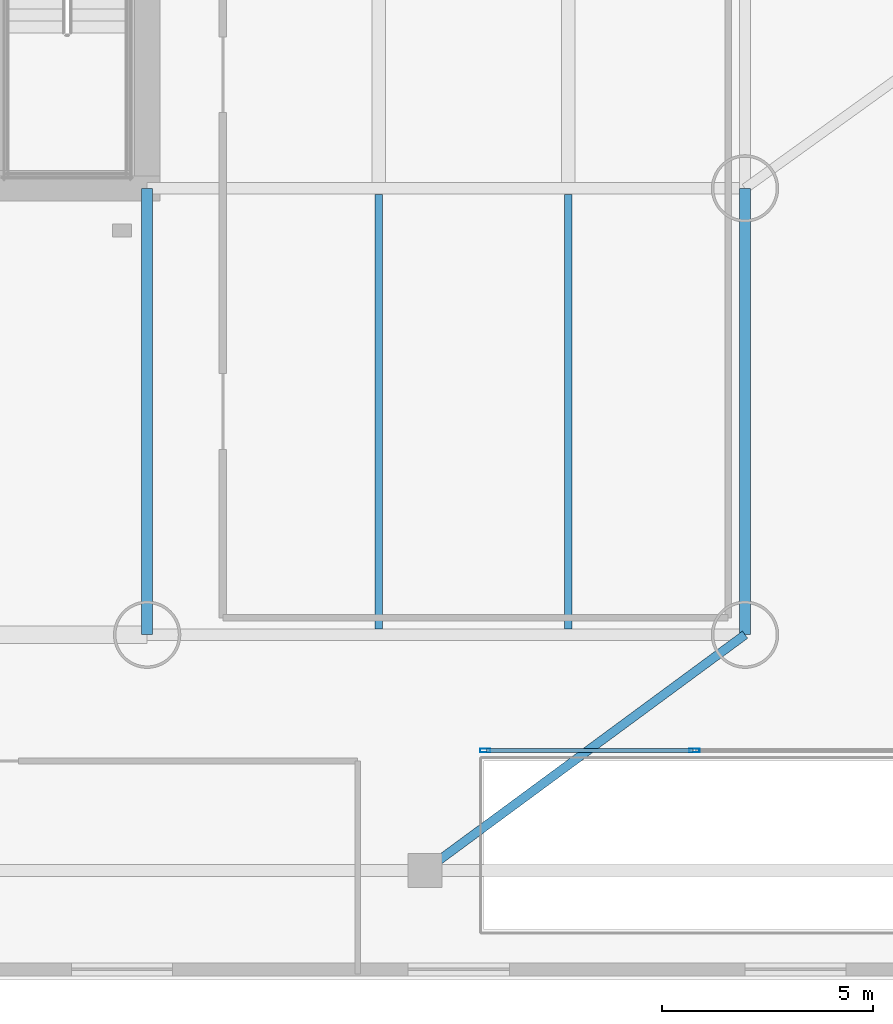
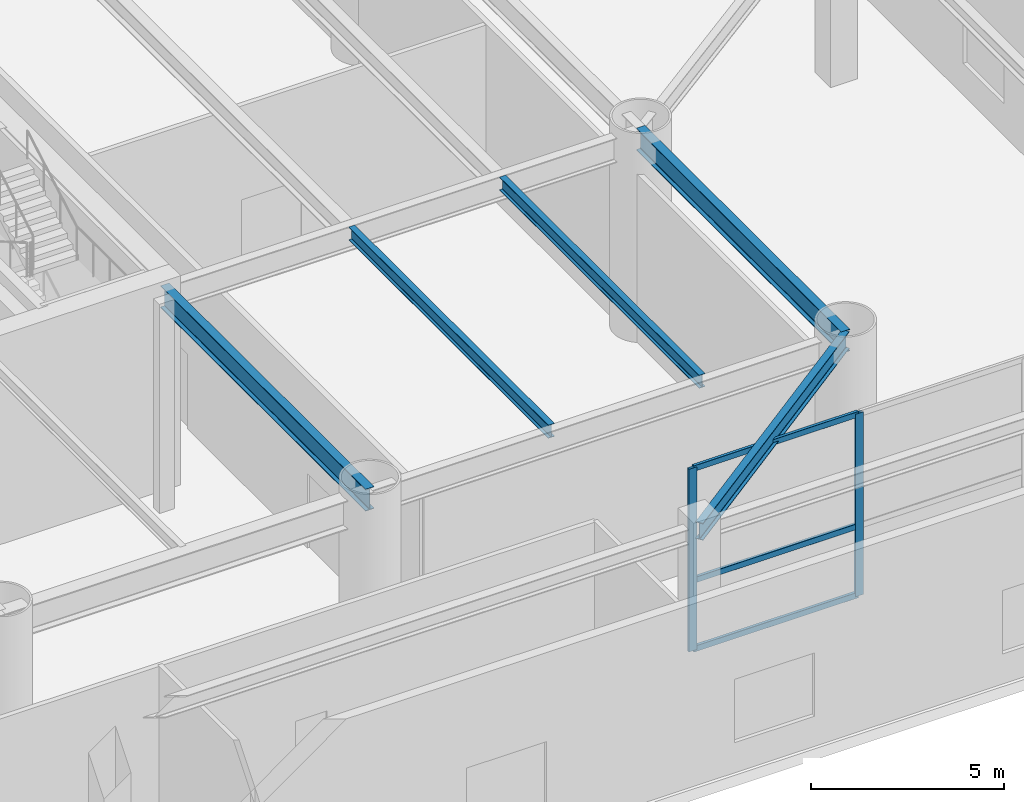
# One storey, part 2 of 16: 5 beams, 5 members, 1 element without a shape of its own.
"""IFC4 building model written with IfcOpenShell, lengths in metres."""

from ifc_helpers import new_model, si_unit, direction, frame, origin, origin_2d, place, context, subcontext, project, spatial, hollow_rectangle, i_section, extrude, material, layer, layer_set, material_profile, profile_set, type_object, element, aggregate, save


model = new_model("IFC4")

# Units and contexts
model_context = context("Model", 3, precision=1e-05, world=origin(), true_north=direction((0.0, 1.0)))
body_context = subcontext(model_context, "Body", "Model", "MODEL_VIEW")
ifc_project = project(units=[si_unit("LENGTHUNIT", "METRE"), si_unit("AREAUNIT", "SQUARE_METRE"), si_unit("VOLUMEUNIT", "CUBIC_METRE"), si_unit("PLANEANGLEUNIT", "RADIAN"), si_unit("MASSUNIT", "GRAM", prefix="KILO")], contexts=[model_context])

# Site, building, storey
site_placement = place(None, origin())
site = spatial("IfcSite", under=ifc_project, at=site_placement, CompositionType="ELEMENT")
building_placement = place(site_placement, origin())
building = spatial("IfcBuilding", under=site, at=building_placement, Name="Bramvorn Convention Spire", CompositionType="ELEMENT")
storey_placement = place(building_placement, frame((0.0, 0.0, 12.0)))
storey = spatial("IfcBuildingStorey", under=building, at=storey_placement, Name="L02", CompositionType="ELEMENT", Elevation=12.0)

# Beams
ifc_material_1 = material(Name="Steel CSA G40.21 Grade 350 (350W)", Category="steel")
ifc_material_profile_1 = material_profile(ifc_material_1, i_section(OverallWidth=0.180908203125, OverallDepth=0.4169921875, WebThickness=0.010986328125, FlangeThickness=0.018310546875, FilletRadius=0.01611328125, at=origin_2d()))
ifc_profile_set_1 = profile_set([ifc_material_profile_1], Name="Steel CSA G40.21 Grade 350 (350W) - W410X85")
beam_type_1 = type_object("IfcBeamType", Name="BM-W410X85", PredefinedType="JOIST", material=ifc_profile_set_1)
for number, where, z_axis, x_axis, name in (
    (1, (54.5, 8.340087890625, 6.04150390625), (0.0, 1.0, 0.0), (-1.0, 0.0, 0.0), "L02 side hall joist S-5"),
    (2, (59.0, 8.340087890625, 6.04150390625), (0.0, 1.0, 0.0), (-1.0, 0.0, 0.0), "L02 side hall joist S-6"),
):
    element("IfcBeam", number, at=place(storey_placement, frame(where, z_axis=z_axis, x_axis=x_axis)), inside=storey, type_object=beam_type_1, Name=name, PredefinedType="JOIST", context=body_context, shape_type="SweptSolid", body=[
        extrude(i_section(OverallWidth=0.180908203125, OverallDepth=0.4169921875, WebThickness=0.010986328125, FlangeThickness=0.018310546875, FilletRadius=0.01611328125, at=origin_2d()), origin(), (0.0, 0.0, 1.0), 10.31982421875),
    ])
ifc_material_profile_2 = material_profile(ifc_material_1, i_section(OverallWidth=0.2119140625, OverallDepth=0.5439453125, WebThickness=0.01318359375, FlangeThickness=0.021240234375, FilletRadius=0.01904296875, at=origin_2d()))
ifc_profile_set_2 = profile_set([ifc_material_profile_2], Name="Steel CSA G40.21 Grade 350 (350W) - W530X123")
beam_type_2 = type_object("IfcBeamType", Name="BM-W530X123", PredefinedType="BEAM", material=ifc_profile_set_2)
beam_placement = place(storey_placement, frame((55.60009765625, 2.60009765625, 5.97802734375), z_axis=(0.805057787445, 0.593196391488, 0.0), x_axis=(-0.593196391488, 0.805057787445, 0.0)))
element("IfcBeam", 3, at=beam_placement, inside=storey, type_object=beam_type_2, Name="L02 podium primary girder 30", PredefinedType="BEAM", context=body_context, shape_type="SweptSolid", body=[
    extrude(i_section(OverallWidth=0.2119140625, OverallDepth=0.5439453125, WebThickness=0.01318359375, FlangeThickness=0.021240234375, FilletRadius=0.01904296875, at=origin_2d()), origin(), (0.0, 0.0, 1.0), 9.440185546875),
])
ifc_material_profile_3 = material_profile(ifc_material_1, i_section(OverallWidth=0.256103515625, OverallDepth=0.693115234375, WebThickness=0.014404296875, FlangeThickness=0.023681640625, FilletRadius=0.02197265625, at=origin_2d()))
ifc_profile_set_3 = profile_set([ifc_material_profile_3], Name="Steel CSA G40.21 Grade 350 (350W) - W690X170")
beam_type_3 = type_object("IfcBeamType", Name="BM-W690X170", PredefinedType="BEAM", material=ifc_profile_set_3)
for number, where, z_axis, x_axis, name in (
    (4, (63.199951171875, 8.199951171875, 5.903564453125), (0.0, 1.0, 0.0), (-1.0, 0.0, 0.0), "L02 podium primary girder 15"),
    (5, (49.0, 8.199951171875, 5.903564453125), (0.0, 1.0, 0.0), (-1.0, 0.0, 0.0), "L02 podium primary girder 23"),
):
    element("IfcBeam", number, at=place(storey_placement, frame(where, z_axis=z_axis, x_axis=x_axis)), inside=storey, type_object=beam_type_3, Name=name, PredefinedType="BEAM", context=body_context, shape_type="SweptSolid", body=[
        extrude(i_section(OverallWidth=0.256103515625, OverallDepth=0.693115234375, WebThickness=0.014404296875, FlangeThickness=0.023681640625, FilletRadius=0.02197265625, at=origin_2d()), origin(), (0.0, 0.0, 1.0), 10.60009765625),
    ])

# Curtain wall, members
ifc_material_2 = material(Name="Anodised Bronze Unitised Curtain Wall", Category="aluminium")
ifc_layer = layer(ifc_material_2, 0.219970703125)
ifc_layer_set = layer_set([ifc_layer], Name="Anodised Bronze Unitised Curtain Wall - CW-POD-LANCET")
curtain_wall_type = type_object("IfcCurtainWallType", Name="CW-POD-LANCET", PredefinedType="USERDEFINED", material=ifc_layer_set)
curtain_wall_placement = place(storey_placement, origin())
curtain_wall = element("IfcCurtainWall", 6, at=curtain_wall_placement, inside=storey, type_object=curtain_wall_type, Name="L02 SE colonnade lancet curtain wall", ObjectType="UNITISED CURTAIN WALL", PredefinedType="USERDEFINED")
ifc_material_3 = material(Name="Anodised Bronze Aluminium 6063-T6", Category="aluminium")
ifc_material_profile_4 = material_profile(ifc_material_3, hollow_rectangle(XDim=0.090087890625, YDim=0.239990234375, WallThickness=0.00439453125, InnerFilletRadius=0.0009765625, OuterFilletRadius=0.00439453125, at=origin_2d()))
ifc_profile_set_4 = profile_set([ifc_material_profile_4], Name="Anodised Bronze Aluminium 6063-T6 - CWM90X240")
member_type_1 = type_object("IfcMemberType", Name="CW-MUL-220", PredefinedType="MULLION", material=ifc_profile_set_4)
member_1_placement = place(storey_placement, frame((57.030029296875, 5.449951171875, 0.0), z_axis=(0.0, 0.0, 1.0), x_axis=(0.0, 1.0, 0.0)))
member_1 = element("IfcMember", 7, at=member_1_placement, type_object=member_type_1, Name="CW1 mullion 1", PredefinedType="MULLION", context=body_context, shape_type="SweptSolid", body=[
    extrude(hollow_rectangle(XDim=0.090087890625, YDim=0.239990234375, WallThickness=0.00439453125, InnerFilletRadius=0.0009765625, OuterFilletRadius=0.00439453125, at=origin_2d()), origin(), (0.0, 0.0, 1.0), 5.760009765625),
])
member_2_placement = place(storey_placement, frame((62.0, 5.449951171875, 0.0), z_axis=(0.0, 0.0, 1.0), x_axis=(0.0, 1.0, 0.0)))
member_2 = element("IfcMember", 8, at=member_2_placement, type_object=member_type_1, Name="CW1 mullion 2", PredefinedType="MULLION", context=body_context, shape_type="SweptSolid", body=[
    extrude(hollow_rectangle(XDim=0.090087890625, YDim=0.239990234375, WallThickness=0.00439453125, InnerFilletRadius=0.0009765625, OuterFilletRadius=0.00439453125, at=origin_2d()), origin(), (0.0, 0.0, 1.0), 5.760009765625),
])
ifc_material_profile_5 = material_profile(ifc_material_3, hollow_rectangle(XDim=0.090087890625, YDim=0.179931640625, WallThickness=0.00439453125, InnerFilletRadius=0.0009765625, OuterFilletRadius=0.00439453125, at=origin_2d()))
ifc_profile_set_5 = profile_set([ifc_material_profile_5], Name="Anodised Bronze Aluminium 6063-T6 - CWT90X180")
member_type_2 = type_object("IfcMemberType", Name="CW-TRN-180", PredefinedType="USERDEFINED", material=ifc_profile_set_5)
member_3_placement = place(storey_placement, frame((57.06005859375, 5.449951171875, 0.030029296875), z_axis=(1.0, 0.0, 0.0), x_axis=(0.0, 1.0, 0.0)))
member_3 = element("IfcMember", 9, at=member_3_placement, type_object=member_type_2, Name="CW1 transom 1.1", ObjectType="TRANSOM", PredefinedType="USERDEFINED", context=body_context, shape_type="SweptSolid", body=[
    extrude(hollow_rectangle(XDim=0.090087890625, YDim=0.179931640625, WallThickness=0.00439453125, InnerFilletRadius=0.0009765625, OuterFilletRadius=0.00439453125, at=origin_2d()), origin(), (0.0, 0.0, 1.0), 4.909912109375),
])
member_4_placement = place(storey_placement, frame((57.06005859375, 5.449951171875, 2.199951171875), z_axis=(1.0, 0.0, 0.0), x_axis=(0.0, 1.0, 0.0)))
member_4 = element("IfcMember", 10, at=member_4_placement, type_object=member_type_2, Name="CW1 transom 1.2", ObjectType="TRANSOM", PredefinedType="USERDEFINED", context=body_context, shape_type="SweptSolid", body=[
    extrude(hollow_rectangle(XDim=0.090087890625, YDim=0.179931640625, WallThickness=0.00439453125, InnerFilletRadius=0.0009765625, OuterFilletRadius=0.00439453125, at=origin_2d()), origin(), (0.0, 0.0, 1.0), 4.909912109375),
])
member_5_placement = place(storey_placement, frame((57.06005859375, 5.449951171875, 5.72998046875), z_axis=(1.0, 0.0, 0.0), x_axis=(0.0, 1.0, 0.0)))
member_5 = element("IfcMember", 11, at=member_5_placement, type_object=member_type_2, Name="CW1 transom 1.3", ObjectType="TRANSOM", PredefinedType="USERDEFINED", context=body_context, shape_type="SweptSolid", body=[
    extrude(hollow_rectangle(XDim=0.090087890625, YDim=0.179931640625, WallThickness=0.00439453125, InnerFilletRadius=0.0009765625, OuterFilletRadius=0.00439453125, at=origin_2d()), origin(), (0.0, 0.0, 1.0), 4.909912109375),
])
aggregate(curtain_wall, [member_1, member_2, member_3, member_4, member_5])

save(model, "model.ifc")
